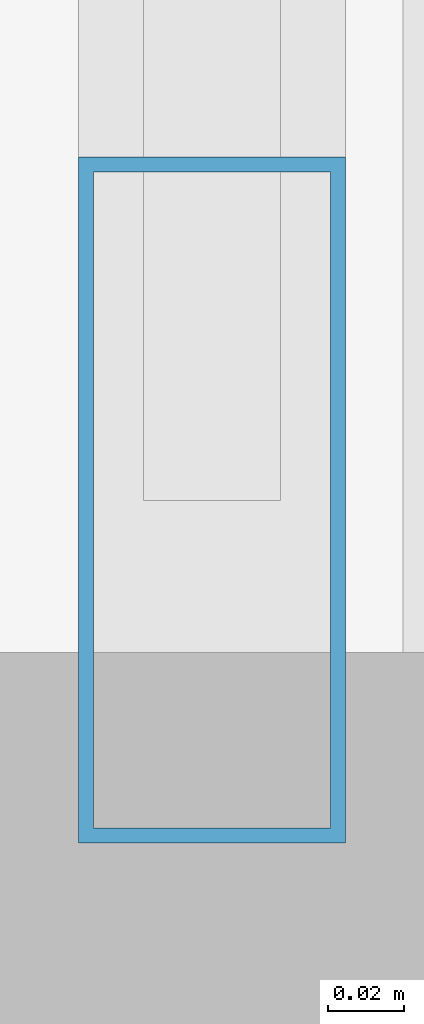
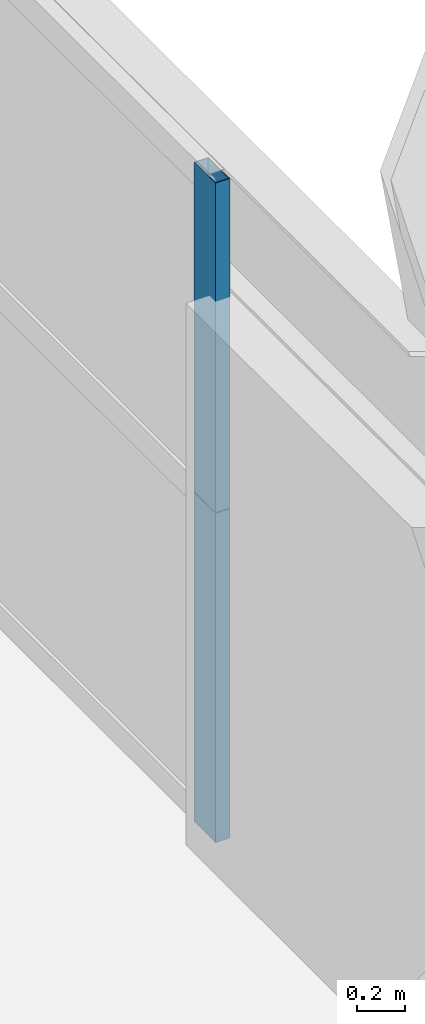
# One storey, part 17 of 43: 2 members, 1 element without a shape of its own.
"""IFC4 building model written with IfcOpenShell, lengths in metres."""

from ifc_helpers import new_model, si_unit, direction, frame, origin, origin_2d, place, context, subcontext, project, spatial, hollow_rectangle, extrude, source, transform, mapped, material, layer, layer_set, material_profile, profile_set, type_object, element, aggregate, save


model = new_model("IFC4")

# Units and contexts
model_context = context("Model", 3, precision=1e-05, world=origin(), true_north=direction((0.0, 1.0)))
body_context = subcontext(model_context, "Body", "Model", "MODEL_VIEW")
ifc_project = project(units=[si_unit("LENGTHUNIT", "METRE"), si_unit("AREAUNIT", "SQUARE_METRE"), si_unit("VOLUMEUNIT", "CUBIC_METRE"), si_unit("PLANEANGLEUNIT", "RADIAN"), si_unit("MASSUNIT", "GRAM", prefix="KILO"), si_unit("THERMODYNAMICTEMPERATUREUNIT", "KELVIN"), si_unit("POWERUNIT", "WATT")], contexts=[model_context])

# Site, building, storey
site_placement = place(None, origin())
site = spatial("IfcSite", under=ifc_project, at=site_placement, CompositionType="ELEMENT")
building_placement = place(site_placement, origin())
building = spatial("IfcBuilding", under=site, at=building_placement, Name="Yuzanri Waterfront Tower", CompositionType="ELEMENT")
storey_placement = place(building_placement, frame((0.0, 0.0, 74.800048828125)))
storey = spatial("IfcBuildingStorey", under=building, at=storey_placement, Name="L19", CompositionType="ELEMENT", Elevation=74.800048828125)

# Curtain wall, members
ifc_material_1 = material(Name="Anodized Architectural Bronze", Category="metal")
ifc_layer = layer(ifc_material_1, 0.159912109375)
ifc_layer_set = layer_set([ifc_layer], Name="Anodized Architectural Bronze")
curtain_wall_type = type_object("IfcCurtainWallType", Name="Anodized Bronze Hotel Lower-Tier Recessed Unitized Curtain Wall 8100", PredefinedType="NOTDEFINED", material=ifc_layer_set)
curtain_wall_placement = place(storey_placement, origin())
curtain_wall = element("IfcCurtainWall", 1, at=curtain_wall_placement, inside=storey, type_object=curtain_wall_type, Name="L19 Curtain Wall CW-L19-EL", PredefinedType="NOTDEFINED")
ifc_material_2 = material(Name="Anodized Architectural Bronze", Category="metal")
ifc_material_profile = material_profile(ifc_material_2, hollow_rectangle(XDim=0.070068359375, YDim=0.179931640625, WallThickness=0.00390625, at=origin_2d()), Name="CWM 70x180")
ifc_profile_set = profile_set([ifc_material_profile], Name="Anodized Architectural Bronze")
member_type = type_object("IfcMemberType", Name="Anodized Bronze Standard Curtain-Wall Mullion 70x180", PredefinedType="MULLION", material=ifc_profile_set)
shared_shape = source(origin(), body_context, "Body", "SweptSolid", [
    extrude(hollow_rectangle(XDim=0.070068359375, YDim=0.179931640625, WallThickness=0.00390625, at=origin_2d()), origin(), (0.0, 0.0, 1.0), 1.68798828125),
])
member_1_placement = place(storey_placement, frame((61.949951171875, 8.090087890625, 0.0), z_axis=(0.0, 0.0, 1.0), x_axis=(1.0, 0.0, 0.0)))
member_1 = element("IfcMember", 2, at=member_1_placement, type_object=member_type, Name="CW-L19-EL Lower Mullion 00", PredefinedType="MULLION", context=body_context, shape_type="MappedRepresentation", body=[
    mapped(shared_shape, transform((0.0, 0.0, 0.0), scale=1.0)),
])
member_2_placement = place(storey_placement, frame((61.949951171875, 8.090087890625, 1.69189453125), z_axis=(0.0, 0.0, 1.0), x_axis=(1.0, 0.0, 0.0)))
member_2 = element("IfcMember", 3, at=member_2_placement, type_object=member_type, Name="CW-L19-EL Upper Mullion 00", PredefinedType="MULLION", context=body_context, shape_type="MappedRepresentation", body=[
    mapped(shared_shape, transform((0.0, 0.0, 0.0), scale=1.0)),
])
aggregate(curtain_wall, [member_1, member_2])

save(model, "model.ifc")
